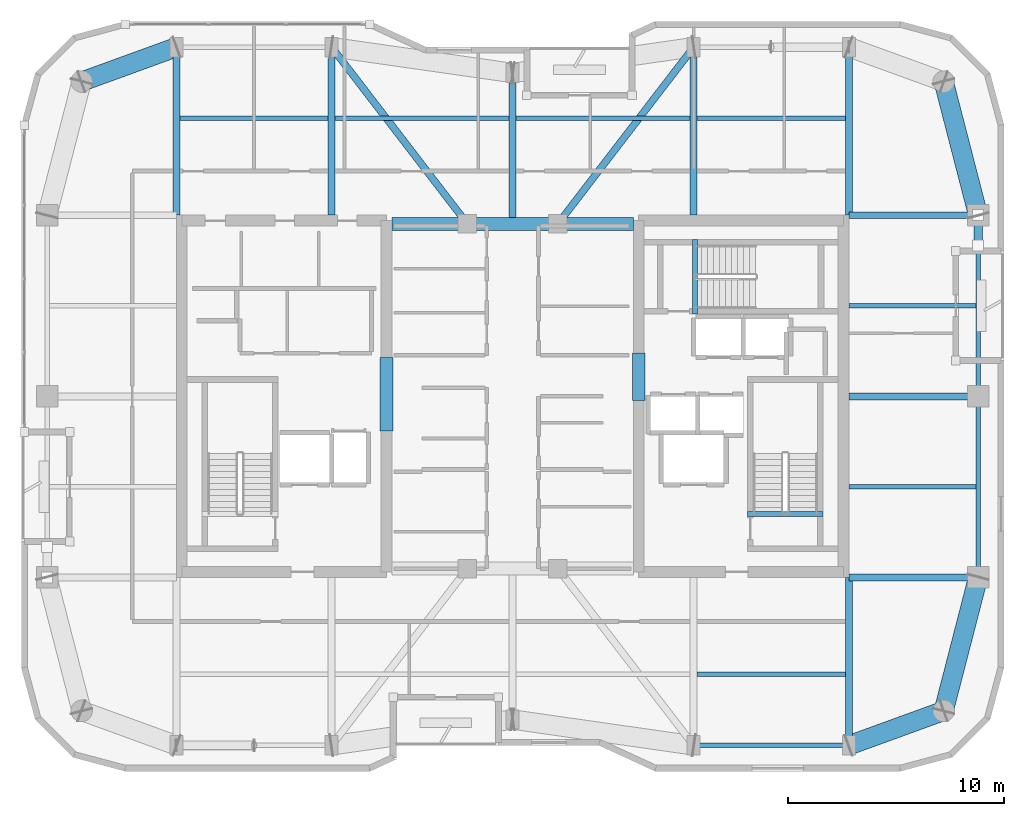
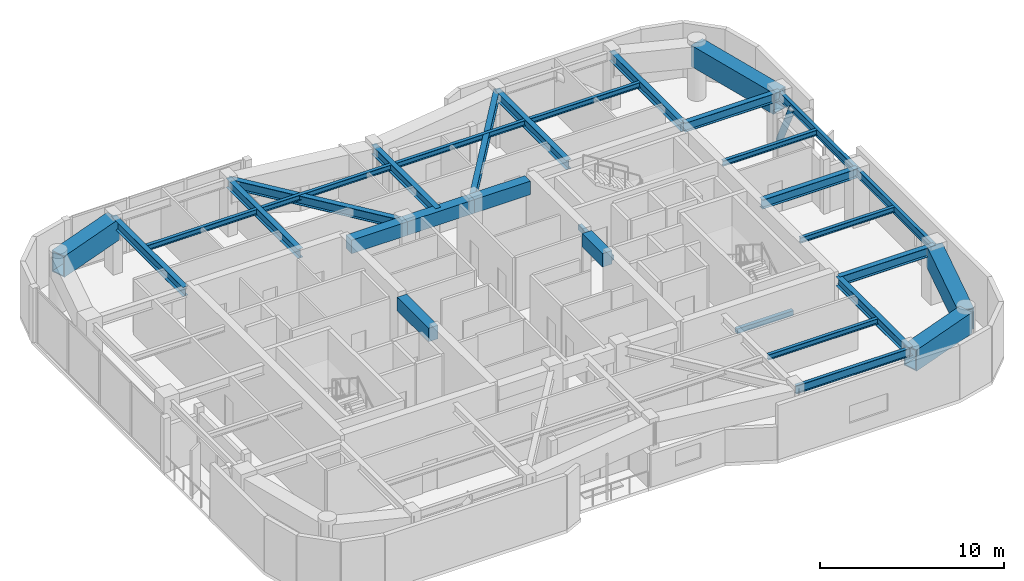
# One storey, part 5 of 15: 32 beams, 1 member.
"""IFC4 building model written with IfcOpenShell, lengths in metres."""

from ifc_helpers import new_model, si_unit, direction, frame, origin, origin_2d, place, context, subcontext, project, spatial, rectangle, hollow_rectangle, hollow_circle, i_section, extrude, material, material_profile, profile_set, type_object, element, save


model = new_model("IFC4")

# Units and contexts
model_context = context("Model", 3, precision=1e-05, world=origin(), true_north=direction((0.0, 1.0)))
body_context = subcontext(model_context, "Body", "Model", "MODEL_VIEW")
ifc_project = project(units=[si_unit("LENGTHUNIT", "METRE"), si_unit("AREAUNIT", "SQUARE_METRE"), si_unit("VOLUMEUNIT", "CUBIC_METRE"), si_unit("PLANEANGLEUNIT", "RADIAN"), si_unit("MASSUNIT", "GRAM", prefix="KILO")], contexts=[model_context])

# Site, building, storey
site_placement = place(None, origin())
site = spatial("IfcSite", under=ifc_project, at=site_placement, CompositionType="ELEMENT")
building_placement = place(site_placement, origin())
building = spatial("IfcBuilding", under=site, at=building_placement, Name="Kiyonajd Concourse Tower", CompositionType="ELEMENT")
storey_placement = place(building_placement, frame((0.0, 0.0, 278.39990234375)))
storey = spatial("IfcBuildingStorey", under=building, at=storey_placement, Name="L70", CompositionType="ELEMENT", Elevation=278.39990234375)

# Beams
ifc_material_1 = material(Name="Concrete C60/75", Category="concrete")
ifc_material_profile_1 = material_profile(ifc_material_1, rectangle(XDim=0.60009765625, YDim=0.89990234375, at=origin_2d()), Name="RCBM-600x900")
ifc_profile_set_1 = profile_set([ifc_material_profile_1], Name="Concrete C60/75")
beam_type_1 = type_object("IfcBeamType", Name="BM-COUP-900", PredefinedType="LINTEL", material=ifc_profile_set_1)
beam_1_placement = place(storey_placement, frame((42.39990234375, 44.0, 3.150146484375), z_axis=(1.0, 0.0, 0.0), x_axis=(0.0, 1.0, 0.0)))
element("IfcBeam", 1, at=beam_1_placement, inside=storey, type_object=beam_type_1, Name="L70 Core Coupling Beam N1", PredefinedType="LINTEL", context=body_context, shape_type="SweptSolid", body=[
    extrude(rectangle(XDim=0.60009765625, YDim=0.89990234375, at=origin_2d()), origin(), (0.0, 0.0, 1.0), 3.5),
])
beam_2_placement = place(storey_placement, frame((45.89990234375, 44.0, 3.150146484375), z_axis=(1.0, 0.0, 0.0), x_axis=(0.0, 1.0, 0.0)))
element("IfcBeam", 2, at=beam_2_placement, inside=storey, type_object=beam_type_1, Name="L70 Core Coupling Beam N2", PredefinedType="LINTEL", context=body_context, shape_type="SweptSolid", body=[
    extrude(rectangle(XDim=0.60009765625, YDim=0.89990234375, at=origin_2d()), origin(), (0.0, 0.0, 1.0), 4.2001953125),
])
beam_3_placement = place(storey_placement, frame((50.10009765625, 44.0, 3.150146484375), z_axis=(1.0, 0.0, 0.0), x_axis=(0.0, 1.0, 0.0)))
element("IfcBeam", 3, at=beam_3_placement, inside=storey, type_object=beam_type_1, Name="L70 Core Coupling Beam N3", PredefinedType="LINTEL", context=body_context, shape_type="SweptSolid", body=[
    extrude(rectangle(XDim=0.60009765625, YDim=0.89990234375, at=origin_2d()), origin(), (0.0, 0.0, 1.0), 3.5),
])
beam_4_placement = place(storey_placement, frame((42.14990234375, 34.39990234375, 3.150146484375), z_axis=(0.0, 1.0, 0.0), x_axis=(-1.0, 0.0, 0.0)))
element("IfcBeam", 4, at=beam_4_placement, inside=storey, type_object=beam_type_1, Name="L70 West Core Throat Coupling Lintel", PredefinedType="LINTEL", context=body_context, shape_type="SweptSolid", body=[
    extrude(rectangle(XDim=0.60009765625, YDim=0.89990234375, at=origin_2d()), origin(), (0.0, 0.0, 1.0), 3.400146484375),
])
beam_5_placement = place(storey_placement, frame((53.85009765625, 35.800048828125, 3.150146484375), z_axis=(0.0, 1.0, 0.0), x_axis=(-1.0, 0.0, 0.0)))
element("IfcBeam", 5, at=beam_5_placement, inside=storey, type_object=beam_type_1, Name="L70 East Core Throat Coupling Lintel", PredefinedType="LINTEL", context=body_context, shape_type="SweptSolid", body=[
    extrude(rectangle(XDim=0.60009765625, YDim=0.89990234375, at=origin_2d()), origin(), (0.0, 0.0, 1.0), 2.199951171875),
])
ifc_material_2 = material(Name="Steel ASTM A992 Grade 50", Category="steel")
ifc_material_profile_2 = material_profile(ifc_material_2, i_section(OverallWidth=0.205078125, OverallDepth=0.35400390625, WebThickness=0.009521484375, FlangeThickness=0.016845703125, at=origin_2d()), Name="W360X79")
ifc_profile_set_2 = profile_set([ifc_material_profile_2], Name="Steel ASTM A992 Grade 50")
beam_type_2 = type_object("IfcBeamType", Name="BM-JST-360", PredefinedType="JOIST", material=ifc_profile_set_2)
for number, where, z_axis, x_axis, name in (
    (6, (56.56201171875, 23.10009765625, 3.423095703125), (1.0, 0.0, 0.0), (0.0, 1.0, 0.0), "L70 Secondary Floor Joist"),
    (7, (32.56201171875, 48.89990234375, 3.423095703125), (1.0, 0.0, 0.0), (0.0, 1.0, 0.0), "L70 Secondary Floor Joist"),
):
    element("IfcBeam", number, at=place(storey_placement, frame(where, z_axis=z_axis, x_axis=x_axis)), inside=storey, type_object=beam_type_2, Name=name, PredefinedType="JOIST", context=body_context, shape_type="SweptSolid", body=[
        extrude(i_section(OverallWidth=0.205078125, OverallDepth=0.35400390625, WebThickness=0.009521484375, FlangeThickness=0.016845703125, at=origin_2d()), origin(), (0.0, 0.0, 1.0), 6.8759765625),
    ])
for number, where, z_axis, x_axis, name in (
    (8, (39.761962890625, 48.89990234375, 3.423095703125), (1.0, 0.0, 0.0), (0.0, 1.0, 0.0), "L70 Secondary Floor Joist"),
    (9, (48.162109375, 48.89990234375, 3.423095703125), (1.0, 0.0, 0.0), (0.0, 1.0, 0.0), "L70 Secondary Floor Joist"),
):
    element("IfcBeam", number, at=place(storey_placement, frame(where, z_axis=z_axis, x_axis=x_axis)), inside=storey, type_object=beam_type_2, Name=name, PredefinedType="JOIST", context=body_context, shape_type="SweptSolid", body=[
        extrude(i_section(OverallWidth=0.205078125, OverallDepth=0.35400390625, WebThickness=0.009521484375, FlangeThickness=0.016845703125, at=origin_2d()), origin(), (0.0, 0.0, 1.0), 8.075927734375),
    ])
beam_6_placement = place(storey_placement, frame((56.56201171875, 48.89990234375, 3.423095703125), z_axis=(1.0, 0.0, 0.0), x_axis=(0.0, 1.0, 0.0)))
element("IfcBeam", 10, at=beam_6_placement, inside=storey, type_object=beam_type_2, Name="L70 Secondary Floor Joist", PredefinedType="JOIST", context=body_context, shape_type="SweptSolid", body=[
    extrude(i_section(OverallWidth=0.205078125, OverallDepth=0.35400390625, WebThickness=0.009521484375, FlangeThickness=0.016845703125, at=origin_2d()), origin(), (0.0, 0.0, 1.0), 6.8759765625),
])
for number, where, z_axis, x_axis, name in (
    (11, (63.60009765625, 31.800048828125, 3.423095703125), (1.0, 0.0, 0.0), (0.0, 1.0, 0.0), "L70 East Secondary Floor Joist"),
    (12, (63.60009765625, 40.199951171875, 3.423095703125), (1.0, 0.0, 0.0), (0.0, 1.0, 0.0), "L70 East Secondary Floor Joist"),
):
    element("IfcBeam", number, at=place(storey_placement, frame(where, z_axis=z_axis, x_axis=x_axis)), inside=storey, type_object=beam_type_2, Name=name, PredefinedType="JOIST", context=body_context, shape_type="SweptSolid", body=[
        extrude(i_section(OverallWidth=0.205078125, OverallDepth=0.35400390625, WebThickness=0.009521484375, FlangeThickness=0.016845703125, at=origin_2d()), origin(), (0.0, 0.0, 1.0), 5.894287109375),
    ])
ifc_material_3 = material(Name="Concrete C50/60", Category="concrete")
ifc_material_profile_3 = material_profile(ifc_material_3, rectangle(XDim=0.239990234375, YDim=0.320068359375, at=origin_2d()), Name="RCBM-240x320")
ifc_profile_set_3 = profile_set([ifc_material_profile_3], Name="Concrete C50/60")
beam_type_3 = type_object("IfcBeamType", Name="BM-LNT-250", PredefinedType="LINTEL", material=ifc_profile_set_3)
beam_7_placement = place(storey_placement, frame((58.889892578125, 30.530029296875, -0.159912109375), z_axis=(1.0, 0.0, 0.0), x_axis=(0.0, 1.0, 0.0)))
element("IfcBeam", 13, at=beam_7_placement, inside=storey, type_object=beam_type_3, Name="L70 Stair ST2 Threshold Support Beam", PredefinedType="LINTEL", context=body_context, shape_type="SweptSolid", body=[
    extrude(rectangle(XDim=0.239990234375, YDim=0.320068359375, at=origin_2d()), origin(), (0.0, 0.0, 1.0), 3.52001953125),
])
beam_8_placement = place(storey_placement, frame((56.4599609375, 39.820068359375, -0.159912109375), z_axis=(0.0, 1.0, 0.0), x_axis=(-1.0, 0.0, 0.0)))
element("IfcBeam", 14, at=beam_8_placement, inside=storey, type_object=beam_type_3, Name="L70 Stair ST3 Threshold Support Beam", PredefinedType="LINTEL", context=body_context, shape_type="SweptSolid", body=[
    extrude(rectangle(XDim=0.239990234375, YDim=0.320068359375, at=origin_2d()), origin(), (0.0, 0.0, 1.0), 3.4599609375),
])
ifc_material_profile_4 = material_profile(ifc_material_2, i_section(OverallWidth=0.2109375, OverallDepth=0.5390625, WebThickness=0.01171875, FlangeThickness=0.018798828125, at=origin_2d()), Name="W530X109")
ifc_profile_set_4 = profile_set([ifc_material_profile_4], Name="Steel ASTM A992 Grade 50")
beam_type_4 = type_object("IfcBeamType", Name="BM-SPAN-530B", PredefinedType="SPANDREL", material=ifc_profile_set_4)
beam_9_placement = place(storey_placement, frame((56.39990234375, 19.800048828125, 3.33056640625), z_axis=(1.0, 0.0, 0.0), x_axis=(0.0, 1.0, 0.0)))
element("IfcBeam", 15, at=beam_9_placement, inside=storey, type_object=beam_type_4, Name="L70 Perimeter Bundled Tube Spandrel", PredefinedType="SPANDREL", context=body_context, shape_type="SweptSolid", body=[
    extrude(i_section(OverallWidth=0.2109375, OverallDepth=0.5390625, WebThickness=0.01171875, FlangeThickness=0.018798828125, at=origin_2d()), origin(), (0.0, 0.0, 1.0), 7.2001953125),
])
for number, where, z_axis, x_axis, name in (
    (16, (69.60009765625, 27.60009765625, 3.33056640625), (0.0, 1.0, 0.0), (-1.0, 0.0, 0.0), "L70 Perimeter Bundled Tube Spandrel"),
    (17, (69.60009765625, 36.0, 3.33056640625), (0.0, 1.0, 0.0), (-1.0, 0.0, 0.0), "L70 Perimeter Bundled Tube Spandrel"),
):
    element("IfcBeam", number, at=place(storey_placement, frame(where, z_axis=z_axis, x_axis=x_axis)), inside=storey, type_object=beam_type_4, Name=name, PredefinedType="SPANDREL", context=body_context, shape_type="SweptSolid", body=[
        extrude(i_section(OverallWidth=0.2109375, OverallDepth=0.5390625, WebThickness=0.01171875, FlangeThickness=0.018798828125, at=origin_2d()), origin(), (0.0, 0.0, 1.0), 8.39990234375),
    ])
ifc_material_profile_5 = material_profile(ifc_material_2, i_section(OverallWidth=0.326904296875, OverallDepth=0.6220703125, WebThickness=0.015380859375, FlangeThickness=0.0244140625, at=origin_2d()), Name="W610X195")
ifc_profile_set_5 = profile_set([ifc_material_profile_5], Name="Steel ASTM A992 Grade 50")
beam_type_5 = type_object("IfcBeamType", Name="BM-TWR-610A", PredefinedType="BEAM", material=ifc_profile_set_5)
for number, where, z_axis, x_axis, name in (
    (18, (39.60009765625, 52.199951171875, 3.2890625), (0.609233709922, -0.792990722956, 0.0), (0.792990722956, 0.609233709922, 0.0), "L70 Core Tie Girder"),
    (19, (50.10009765625, 44.0, 3.2890625), (0.609233709922, 0.792990722956, 0.0), (-0.792990722956, 0.609233709922, 0.0), "L70 Core Tie Girder"),
):
    element("IfcBeam", number, at=place(storey_placement, frame(where, z_axis=z_axis, x_axis=x_axis)), inside=storey, type_object=beam_type_5, Name=name, PredefinedType="BEAM", context=body_context, shape_type="SweptSolid", body=[
        extrude(i_section(OverallWidth=0.326904296875, OverallDepth=0.6220703125, WebThickness=0.015380859375, FlangeThickness=0.0244140625, at=origin_2d()), origin(), (0.0, 0.0, 1.0), 10.340576171875),
    ])
ifc_material_profile_6 = material_profile(ifc_material_2, i_section(OverallWidth=0.323974609375, OverallDepth=0.611083984375, WebThickness=0.0126953125, FlangeThickness=0.01904296875, at=origin_2d()), Name="W610X155")
ifc_profile_set_6 = profile_set([ifc_material_profile_6], Name="Steel ASTM A992 Grade 50")
beam_type_6 = type_object("IfcBeamType", Name="BM-TWR-610B", PredefinedType="BEAM", material=ifc_profile_set_6)
for number, where, z_axis, x_axis, name in (
    (20, (32.39990234375, 44.39990234375, 3.294677734375), (0.0, 1.0, 0.0), (-1.0, 0.0, 0.0), "L70 North Lease Girder"),
    (21, (39.60009765625, 44.39990234375, 3.294677734375), (0.0, 1.0, 0.0), (-1.0, 0.0, 0.0), "L70 North Lease Girder"),
    (22, (56.39990234375, 44.39990234375, 3.294677734375), (0.0, 1.0, 0.0), (-1.0, 0.0, 0.0), "L70 North Lease Girder"),
    (23, (63.60009765625, 19.800048828125, 3.294677734375), (0.0, 1.0, 0.0), (-1.0, 0.0, 0.0), "L70 South Lease Girder"),
    (24, (63.60009765625, 44.39990234375, 3.294677734375), (0.0, 1.0, 0.0), (-1.0, 0.0, 0.0), "L70 North Lease Girder"),
):
    element("IfcBeam", number, at=place(storey_placement, frame(where, z_axis=z_axis, x_axis=x_axis)), inside=storey, type_object=beam_type_6, Name=name, PredefinedType="BEAM", context=body_context, shape_type="SweptSolid", body=[
        extrude(i_section(OverallWidth=0.323974609375, OverallDepth=0.611083984375, WebThickness=0.0126953125, FlangeThickness=0.01904296875, at=origin_2d()), origin(), (0.0, 0.0, 1.0), 7.800048828125),
    ])
beam_10_placement = place(storey_placement, frame((48.0, 44.0, 3.294677734375), z_axis=(0.0, 1.0, 0.0), x_axis=(-1.0, 0.0, 0.0)))
element("IfcBeam", 25, at=beam_10_placement, inside=storey, type_object=beam_type_6, Name="L70 North Ribbon Girder", PredefinedType="BEAM", context=body_context, shape_type="SweptSolid", body=[
    extrude(i_section(OverallWidth=0.323974609375, OverallDepth=0.611083984375, WebThickness=0.0126953125, FlangeThickness=0.01904296875, at=origin_2d()), origin(), (0.0, 0.0, 1.0), 7.0),
])
for number, where, z_axis, x_axis, name in (
    (26, (63.60009765625, 27.60009765625, 3.294677734375), (1.0, 0.0, 0.0), (0.0, 1.0, 0.0), "L70 East Lease Girder"),
    (27, (63.60009765625, 36.0, 3.294677734375), (1.0, 0.0, 0.0), (0.0, 1.0, 0.0), "L70 East Lease Girder"),
    (28, (63.60009765625, 44.39990234375, 3.294677734375), (1.0, 0.0, 0.0), (0.0, 1.0, 0.0), "L70 East Lease Girder"),
):
    element("IfcBeam", number, at=place(storey_placement, frame(where, z_axis=z_axis, x_axis=x_axis)), inside=storey, type_object=beam_type_6, Name=name, PredefinedType="BEAM", context=body_context, shape_type="SweptSolid", body=[
        extrude(i_section(OverallWidth=0.323974609375, OverallDepth=0.611083984375, WebThickness=0.0126953125, FlangeThickness=0.01904296875, at=origin_2d()), origin(), (0.0, 0.0, 1.0), 6.0),
    ])
ifc_material_4 = material(Name="Steel ASTM A572 Grade 50", Category="steel")
ifc_material_profile_7 = material_profile(ifc_material_4, hollow_rectangle(XDim=0.89990234375, YDim=1.39990234375, WallThickness=0.070068359375, at=origin_2d()), Name="BOX-1400x900x70")
ifc_profile_set_7 = profile_set([ifc_material_profile_7], Name="Steel ASTM A572 Grade 50")
beam_type_7 = type_object("IfcBeamType", Name="BM-XFER-1400", PredefinedType="BEAM", material=ifc_profile_set_7)
beam_11_placement = place(storey_placement, frame((63.60009765625, 19.800048828125, 2.900146484375), z_axis=(0.939801036019, 0.341722127901, 0.0), x_axis=(-0.341722127901, 0.939801036019, 0.0)))
element("IfcBeam", 29, at=beam_11_placement, inside=storey, type_object=beam_type_7, Name="L70 Perimeter Bundled Tube Spandrel", PredefinedType="BEAM", context=body_context, shape_type="SweptSolid", body=[
    extrude(hollow_rectangle(XDim=0.89990234375, YDim=1.39990234375, WallThickness=0.070068359375, at=origin_2d()), origin(), (0.0, 0.0, 1.0), 4.681640625),
])
for number, where, z_axis, x_axis, name in (
    (30, (68.0, 21.39990234375, 2.900146484375), (0.249884937687, 0.968275538221, 0.0), (-0.968275538221, 0.249884937687, 0.0), "L70 Perimeter Bundled Tube Spandrel"),
    (31, (69.60009765625, 44.39990234375, 2.900146484375), (-0.249884937687, 0.968275538221, 0.0), (-0.968275538221, -0.249884937687, 0.0), "L70 Perimeter Bundled Tube Spandrel"),
):
    element("IfcBeam", number, at=place(storey_placement, frame(where, z_axis=z_axis, x_axis=x_axis)), inside=storey, type_object=beam_type_7, Name=name, PredefinedType="BEAM", context=body_context, shape_type="SweptSolid", body=[
        extrude(hollow_rectangle(XDim=0.89990234375, YDim=1.39990234375, WallThickness=0.070068359375, at=origin_2d()), origin(), (0.0, 0.0, 1.0), 6.4033203125),
    ])
beam_12_placement = place(storey_placement, frame((32.39990234375, 52.199951171875, 2.900146484375), z_axis=(-0.939801036019, -0.341722127901, 0.0), x_axis=(0.341722127901, -0.939801036019, 0.0)))
element("IfcBeam", 32, at=beam_12_placement, inside=storey, type_object=beam_type_7, Name="L70 Perimeter Bundled Tube Spandrel", PredefinedType="BEAM", context=body_context, shape_type="SweptSolid", body=[
    extrude(hollow_rectangle(XDim=0.89990234375, YDim=1.39990234375, WallThickness=0.070068359375, at=origin_2d()), origin(), (0.0, 0.0, 1.0), 4.681640625),
])

# Member
ifc_material_5 = material(Name="Steel ASTM A500 Grade C", Category="steel")
ifc_material_profile_8 = material_profile(ifc_material_5, hollow_circle(Radius=0.202880859375, WallThickness=0.01904296875, at=origin_2d()), Name="CHS-406x19")
ifc_profile_set_8 = profile_set([ifc_material_profile_8], Name="Steel ASTM A500 Grade C")
member_type = type_object("IfcMemberType", Name="MB-PB-HIGH", PredefinedType="BRACE", material=ifc_profile_set_8)
member_placement = place(storey_placement, frame((69.60009765625, 44.39990234375, 0.300048828125), z_axis=(0.0, -0.428725834465, 0.903434645595), x_axis=(1.0, 0.0, 0.0)))
element("IfcMember", 33, at=member_placement, inside=storey, type_object=member_type, Name="L70 Upper Zone Hollow Tube Brace PBE", PredefinedType="BRACE", context=body_context, shape_type="SweptSolid", body=[
    extrude(hollow_circle(Radius=0.202880859375, WallThickness=0.01904296875, at=origin_2d()), origin(), (0.0, 0.0, 1.0), 3.265380859375),
])

save(model, "model.ifc")
